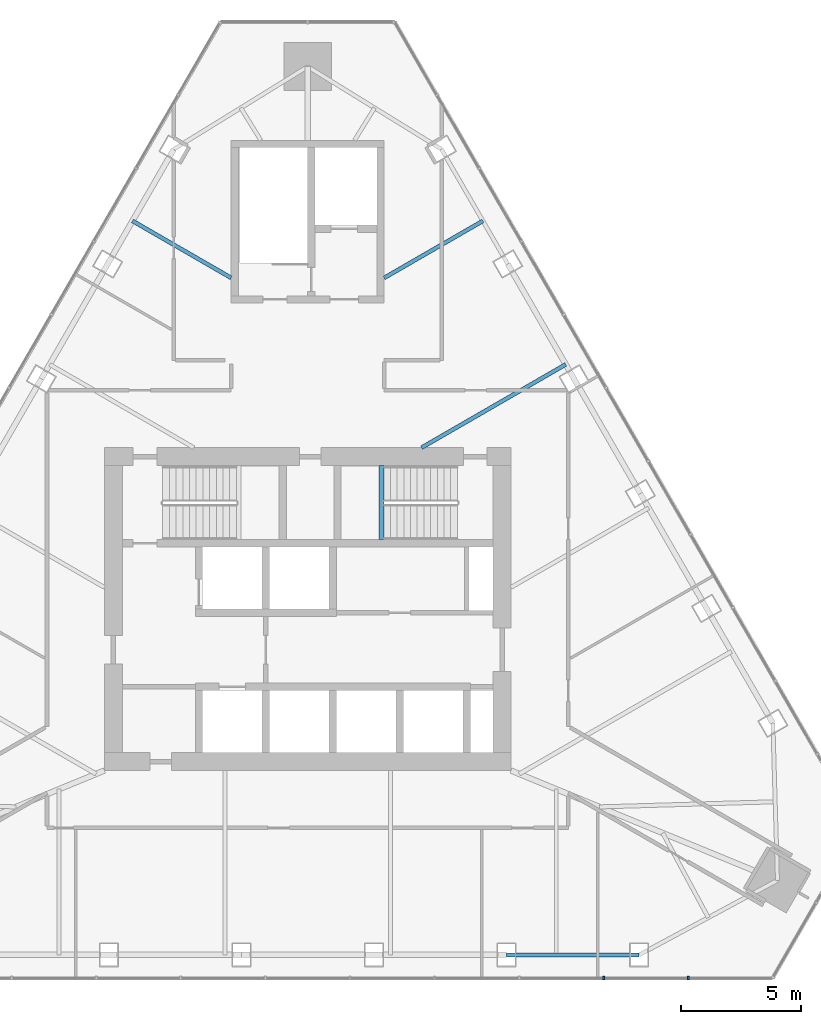
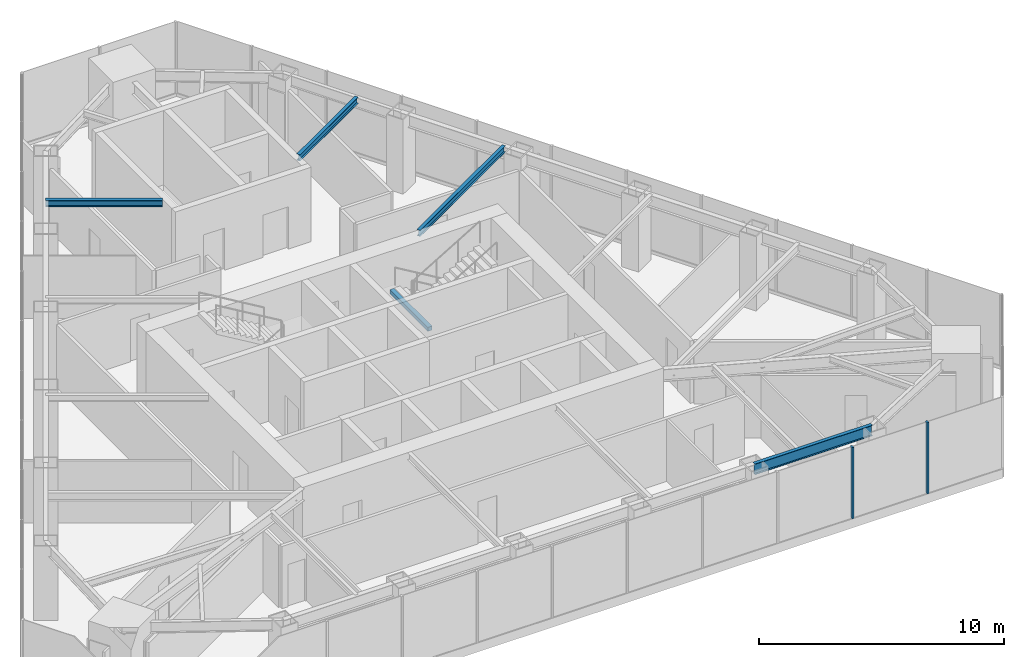
# One storey, part 6 of 13: 5 beams, 2 members, 1 element without a shape of its own.
"""IFC4 building model written with IfcOpenShell, lengths in metres."""

import ifcopenshell
import ifcopenshell.guid

model = None  # the IFC model being written
_history = None  # IfcOwnerHistory: only IFC2X3 demands one
_inside = {}  # id of a spatial element -> (the spatial element, [elements in it])
_under = {}  # id of a project, library or spatial element -> (it, [spatial elements below it])
_declared = {}  # id of a project -> (the project, [libraries it declares])
_typed = {}  # id of a type object -> (the type object, [elements of that type])
_made_of = {}  # id of a material, layer set ... -> (it, [elements and type objects made of it])


def new_model(schema):
    """Start an empty IFC model of exactly this schema.

    Asked for "IFC4X3", IfcOpenShell would pick the latest addendum, in which some entities
    have other attributes; the version numbers below select the first issue.
    IFC2X3 requires an IfcOwnerHistory on every rooted entity: one is made here for all.
    """
    global model, _history
    if schema == "IFC4X3":
        model = ifcopenshell.file(schema_version=(4, 3, 0, 0))
    else:
        model = ifcopenshell.file(schema=schema)
    _inside.clear()
    _under.clear()
    _declared.clear()
    _typed.clear()
    _made_of.clear()
    _history = None
    if model.schema == "IFC2X3":
        org = make("IfcOrganization", Name="unknown")
        user = make(
            "IfcPersonAndOrganization",
            ThePerson=make("IfcPerson", FamilyName="unknown"),
            TheOrganization=org,
        )
        app = make(
            "IfcApplication",
            ApplicationDeveloper=org,
            Version="unknown",
            ApplicationFullName="unknown",
            ApplicationIdentifier="unknown",
        )
        _history = make(
            "IfcOwnerHistory",
            OwningUser=user,
            OwningApplication=app,
            ChangeAction="ADDED",
            CreationDate=0,
        )
    return model


def make(cls, **values):
    """One entity of the class cls with the attributes given. An attribute that is None is left unset."""
    return model.create_entity(
        cls, **{name: value for name, value in values.items() if value is not None}
    )


def rooted(cls, **values):
    """An entity with a GlobalId (a new one), such as an element, a storey or a relation."""
    return make(cls, GlobalId=ifcopenshell.guid.new(), OwnerHistory=_history, **values)


def si_unit(unit_type, name, prefix=None):
    """IfcSIUnit, for example si_unit("LENGTHUNIT", "METRE", prefix="MILLI")."""
    return make("IfcSIUnit", UnitType=unit_type, Prefix=prefix, Name=name)


def assignment(units):
    """IfcUnitAssignment: the units of a project."""
    return None if units is None else make("IfcUnitAssignment", Units=units)


def point(xyz):
    """IfcCartesianPoint."""
    return None if xyz is None else make("IfcCartesianPoint", Coordinates=xyz)


def direction(xyz):
    """IfcDirection."""
    return None if xyz is None else make("IfcDirection", DirectionRatios=xyz)


def frame(location, z_axis=None, x_axis=None):
    """IfcAxis2Placement3D, a coordinate frame: its origin and axes. An axis left out is left unset."""
    return make(
        "IfcAxis2Placement3D",
        Location=point(location),
        Axis=direction(z_axis),
        RefDirection=direction(x_axis),
    )


def frame_2d(location, x_axis=None):
    """IfcAxis2Placement2D, a coordinate frame in the plane: its origin and x axis."""
    return make(
        "IfcAxis2Placement2D", Location=point(location), RefDirection=direction(x_axis)
    )


def origin():
    """The frame at (0, 0, 0) with its axes left unset."""
    return frame((0.0, 0.0, 0.0))


def origin_2d():
    """The frame at (0, 0) in the plane with its x axis left unset."""
    return frame_2d((0.0, 0.0))


def place(relative_to, where):
    """IfcLocalPlacement: puts the frame where relative to a parent placement (None: the world)."""
    return make(
        "IfcLocalPlacement", PlacementRelTo=relative_to, RelativePlacement=where
    )


def context(
    kind, dimensions, precision=None, world=None, true_north=None, identifier=None
):
    """IfcGeometricRepresentationContext, for example the 3D "Model" context."""
    return make(
        "IfcGeometricRepresentationContext",
        ContextIdentifier=identifier,
        ContextType=kind,
        CoordinateSpaceDimension=dimensions,
        Precision=precision,
        WorldCoordinateSystem=world,
        TrueNorth=true_north,
    )


def subcontext(parent, identifier, kind, view, scale=None):
    """IfcGeometricRepresentationSubContext, for example "Body" below "Model"."""
    return make(
        "IfcGeometricRepresentationSubContext",
        ContextIdentifier=identifier,
        ContextType=kind,
        ParentContext=parent,
        TargetScale=scale,
        TargetView=view,
    )


def project(units=None, contexts=None):
    """IfcProject with its units and contexts."""
    return rooted(
        "IfcProject",
        Name="project",
        RepresentationContexts=contexts,
        UnitsInContext=assignment(units),
    )


def spatial(cls, under=None, at=None, **own):
    """A site, building, storey or space (cls), placed at a placement, below another one or the project."""
    s = rooted(cls, ObjectPlacement=at, **own)
    if under is not None:
        _under.setdefault(under.id(), (under, []))[1].append(s)
    return s


def profile(cls, at=None, kind="AREA", **sizes):
    """A parametric profile (cls). Its sizes go by their IFC names, for example OverallWidth=200.0."""
    return make(cls, ProfileType=kind, Position=at, **sizes)


def rectangle(**sizes):
    """IfcRectangleProfileDef."""
    return profile("IfcRectangleProfileDef", **sizes)


def i_section(**sizes):
    """IfcIShapeProfileDef."""
    return profile("IfcIShapeProfileDef", **sizes)


def extrude(swept, where, along, depth):
    """IfcExtrudedAreaSolid: the profile swept, set in the frame where, extruded along a direction by depth."""
    return make(
        "IfcExtrudedAreaSolid",
        SweptArea=swept,
        Position=where,
        ExtrudedDirection=direction(along),
        Depth=depth,
    )


def shape(context_of_items, identifier, shape_type, items):
    """IfcShapeRepresentation: the items that make up one representation, for example the "Body"."""
    return make(
        "IfcShapeRepresentation",
        ContextOfItems=context_of_items,
        RepresentationIdentifier=identifier,
        RepresentationType=shape_type,
        Items=items,
    )


def material(Name=None, Category=None):
    """IfcMaterial."""
    return make("IfcMaterial", Name=Name, Category=Category)


def layer(
    of_material, thickness, ventilated=None, Name=None, Category=None, Priority=None
):
    """IfcMaterialLayer: one layer of a wall or slab, of a material (None: an air gap)."""
    return make(
        "IfcMaterialLayer",
        Material=of_material,
        LayerThickness=thickness,
        IsVentilated=ventilated,
        Name=Name,
        Category=Category,
        Priority=Priority,
    )


def layer_set(layers, Name=None):
    """IfcMaterialLayerSet."""
    return make("IfcMaterialLayerSet", MaterialLayers=layers, LayerSetName=Name)


def material_profile(
    of_material, cross_section, Name=None, Category=None, Priority=None
):
    """IfcMaterialProfile: a cross section and its material."""
    return make(
        "IfcMaterialProfile",
        Name=Name,
        Material=of_material,
        Profile=cross_section,
        Priority=Priority,
        Category=Category,
    )


def profile_set(profiles, Name=None, composite=None):
    """IfcMaterialProfileSet."""
    return make(
        "IfcMaterialProfileSet",
        Name=Name,
        MaterialProfiles=profiles,
        CompositeProfile=composite,
    )


def made_of(thing, what):
    """Note that an element or type object is made of a material, layer set ...; save() writes the relation."""
    if what is not None:
        _made_of.setdefault(what.id(), (what, []))[1].append(thing)
    return thing


def type_object(cls, material=None, **own):
    """A type object (cls), such as IfcWallType, which elements share."""
    return made_of(rooted(cls, **own), material)


def element(
    cls,
    number,
    at=None,
    inside=None,
    cuts=None,
    type_object=None,
    material=None,
    context=None,
    identifier="Body",
    shape_type=None,
    held_by="IfcProductDefinitionShape",
    body=None,
    shapes=None,
    **own,
):
    """One element of the class cls, such as IfcWall. Its Tag is "e" and its number.

    at: its placement. inside: the storey or other place that contains it. cuts: it is an
    opening in that element (IfcRelVoidsElement). A single representation is given by context,
    identifier, shape_type and body (its items); several are given by shapes. held_by: the class
    of the entity that holds the representations. save() writes the other relations.
    """
    e = rooted(cls, Tag="e%d" % number, ObjectPlacement=at, **own)
    if body is not None:
        shapes = [shape(context, identifier, shape_type, body)]
    if shapes is not None:
        e.Representation = make(held_by, Representations=shapes)
    if inside is not None:
        _inside.setdefault(inside.id(), (inside, []))[1].append(e)
    if cuts is not None:
        rooted(
            "IfcRelVoidsElement", RelatingBuildingElement=cuts, RelatedOpeningElement=e
        )
    if type_object is not None:
        _typed.setdefault(type_object.id(), (type_object, []))[1].append(e)
    return made_of(e, material)


def aggregate(whole, parts):
    """IfcRelAggregates: a whole, such as a stair, and the parts it consists of."""
    return rooted("IfcRelAggregates", RelatingObject=whole, RelatedObjects=parts)


def save(model, path):
    """Write the relations noted so far, then the file.

    IfcRelAggregates (storeys below a building ...), IfcRelContainedInSpatialStructure (elements
    in a storey), IfcRelDefinesByType, IfcRelAssociatesMaterial and IfcRelDeclares: one each for
    every whole, place, type object, material and project.
    """
    for whole, parts in _under.values():
        aggregate(whole, parts)
    for where, things in _inside.values():
        rooted(
            "IfcRelContainedInSpatialStructure",
            RelatedElements=things,
            RelatingStructure=where,
        )
    for kind, things in _typed.values():
        rooted("IfcRelDefinesByType", RelatedObjects=things, RelatingType=kind)
    for what, things in _made_of.values():
        rooted("IfcRelAssociatesMaterial", RelatedObjects=things, RelatingMaterial=what)
    for by, libraries in _declared.values():
        rooted("IfcRelDeclares", RelatingContext=by, RelatedDefinitions=libraries)
    model.write(path)


model = new_model("IFC4")

# Units and contexts
model_context = context("Model", 3, precision=1e-05, world=origin(), true_north=direction((0.0, 1.0)))
body_context = subcontext(model_context, "Body", "Model", "MODEL_VIEW")
ifc_project = project(units=[si_unit("LENGTHUNIT", "METRE"), si_unit("AREAUNIT", "SQUARE_METRE"), si_unit("VOLUMEUNIT", "CUBIC_METRE"), si_unit("PLANEANGLEUNIT", "RADIAN"), si_unit("MASSUNIT", "GRAM", prefix="KILO")], contexts=[model_context])

# Site, building, storey
site_placement = place(None, origin())
site = spatial("IfcSite", under=ifc_project, at=site_placement, CompositionType="ELEMENT")
building_placement = place(site_placement, origin())
building = spatial("IfcBuilding", under=site, at=building_placement, Name="Firuza Gate Tower and Library", CompositionType="ELEMENT")
storey_placement = place(building_placement, frame((0.0, 0.0, 335.60009765625)))
storey = spatial("IfcBuildingStorey", under=building, at=storey_placement, Name="L82", CompositionType="ELEMENT", Elevation=335.60009765625)

# Curtain wall, members
ifc_material_1 = material(Name="Aluminium 6063-T6", Category="aluminium")
ifc_layer = layer(ifc_material_1, 0.14990234375)
ifc_layer_set = layer_set([ifc_layer], Name="Ceramic screen wall, crown plant")
curtain_wall_type = type_object("IfcCurtainWallType", Name="Ceramic screen wall, crown plant", PredefinedType="NOTDEFINED", material=ifc_layer_set)
curtain_wall_placement = place(storey_placement, origin())
curtain_wall = element("IfcCurtainWall", 1, at=curtain_wall_placement, inside=storey, type_object=curtain_wall_type, Name="CW6 L82 S", PredefinedType="NOTDEFINED")
ifc_material_2 = material(Name="Aluminium 6063-T6", Category="aluminium")
ifc_material_profile_1 = material_profile(ifc_material_2, rectangle(XDim=0.14990234375, YDim=0.080078125, at=origin_2d()))
ifc_profile_set_1 = profile_set([ifc_material_profile_1], Name="Aluminium 6063-T6")
member_type = type_object("IfcMemberType", Name="Curtain wall mullion 80x150", PredefinedType="MULLION", material=ifc_profile_set_1)
member_1_placement = place(storey_placement, frame((87.373046875, 59.5673828125, 0.14990234375), z_axis=(0.0, 0.0, 1.0), x_axis=(0.0, 1.0, 0.0)))
member_1 = element("IfcMember", 2, at=member_1_placement, type_object=member_type, Name="Mullion", PredefinedType="MULLION", context=body_context, shape_type="SweptSolid", body=[
    extrude(rectangle(XDim=0.14990234375, YDim=0.080078125, at=origin_2d()), origin(), (0.0, 0.0, 1.0), 3.550048828125),
])
member_2_placement = place(storey_placement, frame((90.908203125, 59.5673828125, 0.14990234375), z_axis=(0.0, 0.0, 1.0), x_axis=(0.0, 1.0, 0.0)))
member_2 = element("IfcMember", 3, at=member_2_placement, type_object=member_type, Name="Mullion", PredefinedType="MULLION", context=body_context, shape_type="SweptSolid", body=[
    extrude(rectangle(XDim=0.14990234375, YDim=0.080078125, at=origin_2d()), origin(), (0.0, 0.0, 1.0), 3.550048828125),
])
aggregate(curtain_wall, [member_1, member_2])

# Beams
ifc_material_3 = material(Name="Concrete C35/45", Category="concrete")
ifc_material_profile_2 = material_profile(ifc_material_3, rectangle(XDim=0.199951171875, YDim=0.199951171875, at=origin_2d()))
ifc_profile_set_2 = profile_set([ifc_material_profile_2], Name="Concrete C35/45")
beam_type_1 = type_object("IfcBeamType", Name="Stair landing bearer 200x200", PredefinedType="BEAM", material=ifc_profile_set_2)
beam_1_placement = place(storey_placement, frame((78.080078125, 81.0, 1.699951171875), z_axis=(0.0, -1.0, 0.0), x_axis=(1.0, 0.0, 0.0)))
element("IfcBeam", 4, at=beam_1_placement, inside=storey, type_object=beam_type_1, Name="Landing bearer L82 stair 2", PredefinedType="BEAM", context=body_context, shape_type="SweptSolid", body=[
    extrude(rectangle(XDim=0.199951171875, YDim=0.199951171875, at=origin_2d()), origin(), (0.0, 0.0, 1.0), 3.10009765625),
])
ifc_material_4 = material(Name="Steel S355", Category="steel")
ifc_material_profile_3 = material_profile(ifc_material_4, i_section(OverallWidth=0.1650390625, OverallDepth=0.31005859375, WebThickness=0.005859375, FlangeThickness=0.009765625, at=origin_2d()))
ifc_profile_set_3 = profile_set([ifc_material_profile_3], Name="Steel S355")
beam_type_2 = type_object("IfcBeamType", Name="W310x39 Floor beam", PredefinedType="JOIST", material=ifc_profile_set_3)
beam_2_placement = place(storey_placement, frame((85.788330078125, 85.22900390625, 3.544921875), z_axis=(-0.866019052629, -0.500011000363, 0.0), x_axis=(0.500011000363, -0.866019052629, 0.0)))
element("IfcBeam", 5, at=beam_2_placement, inside=storey, type_object=beam_type_2, Name="Floor beam L82 s52", PredefinedType="JOIST", context=body_context, shape_type="SweptSolid", body=[
    extrude(i_section(OverallWidth=0.1650390625, OverallDepth=0.31005859375, WebThickness=0.005859375, FlangeThickness=0.009765625, at=origin_2d()), origin(), (0.0, 0.0, 1.0), 6.957763671875),
])
for number, where, z_axis, x_axis, name in (
    (6, (82.32421875, 91.229248046875, 3.544921875), (-0.866029357279, -0.499993152284, 0.0), (0.499993152284, -0.866029357279, 0.0), "Floor beam L82 s53"),
    (7, (67.67578125, 91.229248046875, 3.544921875), (0.866029357279, -0.499993152284, 0.0), (0.499993152284, 0.866029357279, 0.0), "Floor beam L82 s80"),
):
    element("IfcBeam", number, at=place(storey_placement, frame(where, z_axis=z_axis, x_axis=x_axis)), inside=storey, type_object=beam_type_2, Name=name, PredefinedType="JOIST", context=body_context, shape_type="SweptSolid", body=[
        extrude(i_section(OverallWidth=0.1650390625, OverallDepth=0.31005859375, WebThickness=0.005859375, FlangeThickness=0.009765625, at=origin_2d()), origin(), (0.0, 0.0, 1.0), 4.76220703125),
    ])
ifc_material_5 = material(Name="Steel S355", Category="steel")
ifc_material_profile_4 = material_profile(ifc_material_5, i_section(OverallWidth=0.166015625, OverallDepth=0.534912109375, WebThickness=0.01025390625, FlangeThickness=0.0166015625, at=origin_2d()))
ifc_profile_set_4 = profile_set([ifc_material_profile_4], Name="Steel S355")
beam_type_3 = type_object("IfcBeamType", Name="W530x85 Edge beam", PredefinedType="SPANDREL", material=ifc_profile_set_4)
beam_3_placement = place(storey_placement, frame((83.314208984375, 60.54248046875, 3.432373046875), z_axis=(1.0, 0.0, 0.0), x_axis=(0.0, 1.0, 0.0)))
element("IfcBeam", 8, at=beam_3_placement, inside=storey, type_object=beam_type_3, Name="Edge beam L82 e24", PredefinedType="SPANDREL", context=body_context, shape_type="SweptSolid", body=[
    extrude(i_section(OverallWidth=0.166015625, OverallDepth=0.534912109375, WebThickness=0.01025390625, FlangeThickness=0.0166015625, at=origin_2d()), origin(), (0.0, 0.0, 1.0), 5.54296875),
])

save(model, "model.ifc")
